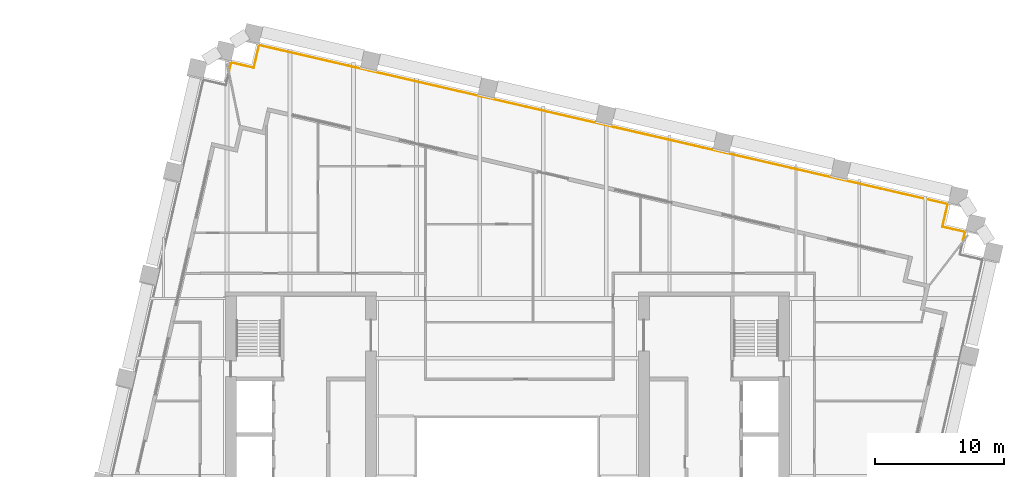
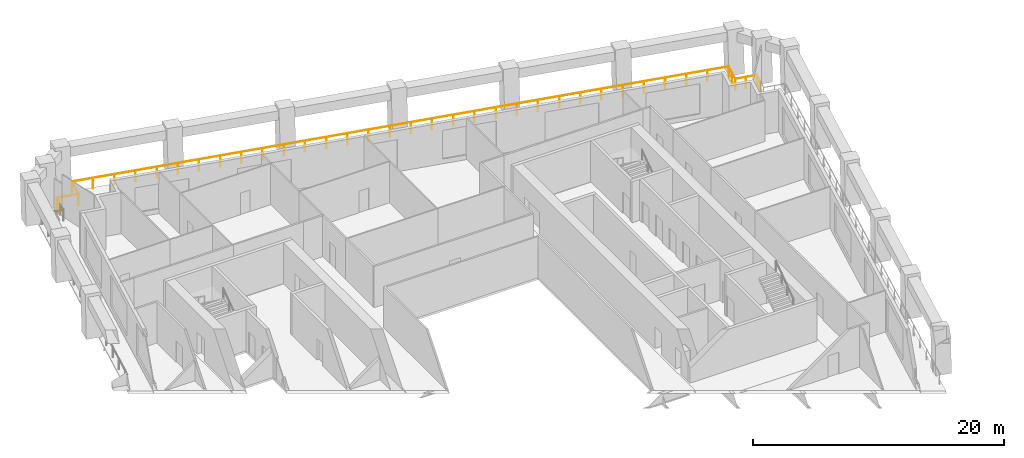
# One storey, part 12 of 12: 1 railing.
"""IFC4 building model written with IfcOpenShell, lengths in metres."""

from ifc_helpers import new_model, si_unit, direction, frame, origin, origin_2d, place, context, subcontext, project, spatial, circle, extrude, material, type_object, element, save


model = new_model("IFC4")

# Units and contexts
model_context = context("Model", 3, precision=1e-05, world=origin(), true_north=direction((0.0, 1.0)))
body_context = subcontext(model_context, "Body", "Model", "MODEL_VIEW")
ifc_project = project(units=[si_unit("LENGTHUNIT", "METRE"), si_unit("AREAUNIT", "SQUARE_METRE"), si_unit("VOLUMEUNIT", "CUBIC_METRE"), si_unit("PLANEANGLEUNIT", "RADIAN"), si_unit("MASSUNIT", "GRAM", prefix="KILO")], contexts=[model_context])

# Site, building, storey
site_placement = place(None, origin())
site = spatial("IfcSite", under=ifc_project, at=site_placement, CompositionType="ELEMENT")
building_placement = place(site_placement, origin())
building = spatial("IfcBuilding", under=site, at=building_placement, Name="Ogive Exchange Tower", CompositionType="ELEMENT")
storey_placement = place(building_placement, frame((0.0, 0.0, 130.800048828125)))
storey = spatial("IfcBuildingStorey", under=building, at=storey_placement, Name="L28", CompositionType="ELEMENT", Elevation=130.800048828125)

# Railing
ifc_material = material(Name="Stainless steel 316", Category="steel")
railing_type = type_object("IfcRailingType", Name="Guard 1100 stainless steel and glass", PredefinedType="GUARDRAIL", material=ifc_material)
railing_placement = place(storey_placement, frame((-21.541748046875, 42.90966796875, -0.050048828125)))
element("IfcRailing", 1, at=railing_placement, inside=storey, type_object=railing_type, Name="Loggia guard 3", PredefinedType="GUARDRAIL", context=body_context, shape_type="SweptSolid", body=[
    extrude(circle(Radius=0.02392578125, at=origin_2d()), frame((0.0, 0.0, 1.076171875), z_axis=(0.225055844522, 0.974345866131, 0.0), x_axis=(-0.974345866131, 0.225055844522, 0.0)), (0.0, 0.0, 1.0), 0.6357421875),
    extrude(circle(Radius=0.02392578125, at=origin_2d()), frame((0.14306640625, 0.619384765625, 1.076171875), z_axis=(0.974379763188, -0.224909041816, 0.0), x_axis=(0.224909041816, 0.974379763188, 0.0)), (0.0, 0.0, 1.0), 1.7998046875),
    extrude(circle(Radius=0.02392578125, at=origin_2d()), frame((1.896728515625, 0.214599609375, 1.076171875), z_axis=(0.22503782496, 0.974350028141, 0.0), x_axis=(-0.974350028141, 0.22503782496, 0.0)), (0.0, 0.0, 1.0), 1.7998046875),
    extrude(circle(Radius=0.02392578125, at=origin_2d()), frame((2.3017578125, 1.96826171875, 1.076171875), z_axis=(0.974371054007, -0.224946769511, 0.0), x_axis=(0.224946769511, 0.974371054007, 0.0)), (0.0, 0.0, 1.0), 54.76025390625),
    extrude(circle(Radius=0.02392578125, at=origin_2d()), frame((55.658447265625, -10.349853515625, 1.076171875), z_axis=(-0.225008086135, -0.974356896201, 0.0), x_axis=(0.974356896201, -0.225008086135, 0.0)), (0.0, 0.0, 1.0), 1.800048828125),
    extrude(circle(Radius=0.02392578125, at=origin_2d()), frame((55.25341796875, -12.103759765625, 1.076171875), z_axis=(0.974356896201, -0.225008086135, 0.0), x_axis=(0.225008086135, 0.974356896201, 0.0)), (0.0, 0.0, 1.0), 1.800048828125),
    extrude(circle(Radius=0.02392578125, at=origin_2d()), frame((57.00732421875, -12.5087890625, 1.076171875), z_axis=(-0.225055844522, -0.974345866131, 0.0), x_axis=(0.974345866131, -0.225055844522, 0.0)), (0.0, 0.0, 1.0), 0.6357421875),
    extrude(circle(Radius=0.02099609375, at=origin_2d()), origin(), (0.0, 0.0, 1.0), 1.052001953125),
    extrude(circle(Radius=0.02099609375, at=origin_2d()), frame((0.14306640625, 0.619384765625, 0.0)), (0.0, 0.0, 1.0), 1.052001953125),
    extrude(circle(Radius=0.02099609375, at=origin_2d()), frame((1.896728515625, 0.214599609375, 0.0)), (0.0, 0.0, 1.0), 1.052001953125),
    extrude(circle(Radius=0.02099609375, at=origin_2d()), frame((2.3017578125, 1.96826171875, 0.0)), (0.0, 0.0, 1.0), 1.052001953125),
    extrude(circle(Radius=0.02099609375, at=origin_2d()), frame((4.02294921875, 1.57080078125, 0.0)), (0.0, 0.0, 1.0), 1.052001953125),
    extrude(circle(Radius=0.02099609375, at=origin_2d()), frame((5.744140625, 1.173583984375, 0.0)), (0.0, 0.0, 1.0), 1.052001953125),
    extrude(circle(Radius=0.02099609375, at=origin_2d()), frame((7.46533203125, 0.776123046875, 0.0)), (0.0, 0.0, 1.0), 1.052001953125),
    extrude(circle(Radius=0.02099609375, at=origin_2d()), frame((9.1865234375, 0.37890625, 0.0)), (0.0, 0.0, 1.0), 1.052001953125),
    extrude(circle(Radius=0.02099609375, at=origin_2d()), frame((10.90771484375, -0.0185546875, 0.0)), (0.0, 0.0, 1.0), 1.052001953125),
    extrude(circle(Radius=0.02099609375, at=origin_2d()), frame((12.62890625, -0.415771484375, 0.0)), (0.0, 0.0, 1.0), 1.052001953125),
    extrude(circle(Radius=0.02099609375, at=origin_2d()), frame((14.35009765625, -0.813232421875, 0.0)), (0.0, 0.0, 1.0), 1.052001953125),
    extrude(circle(Radius=0.02099609375, at=origin_2d()), frame((16.0712890625, -1.210693359375, 0.0)), (0.0, 0.0, 1.0), 1.052001953125),
    extrude(circle(Radius=0.02099609375, at=origin_2d()), frame((17.79248046875, -1.60791015625, 0.0)), (0.0, 0.0, 1.0), 1.052001953125),
    extrude(circle(Radius=0.02099609375, at=origin_2d()), frame((19.513671875, -2.00537109375, 0.0)), (0.0, 0.0, 1.0), 1.052001953125),
    extrude(circle(Radius=0.02099609375, at=origin_2d()), frame((21.23486328125, -2.402587890625, 0.0)), (0.0, 0.0, 1.0), 1.052001953125),
    extrude(circle(Radius=0.02099609375, at=origin_2d()), frame((22.9560546875, -2.800048828125, 0.0)), (0.0, 0.0, 1.0), 1.052001953125),
    extrude(circle(Radius=0.02099609375, at=origin_2d()), frame((24.67724609375, -3.197509765625, 0.0)), (0.0, 0.0, 1.0), 1.052001953125),
    extrude(circle(Radius=0.02099609375, at=origin_2d()), frame((26.3984375, -3.5947265625, 0.0)), (0.0, 0.0, 1.0), 1.052001953125),
    extrude(circle(Radius=0.02099609375, at=origin_2d()), frame((28.11962890625, -3.9921875, 0.0)), (0.0, 0.0, 1.0), 1.052001953125),
    extrude(circle(Radius=0.02099609375, at=origin_2d()), frame((29.840576171875, -4.389404296875, 0.0)), (0.0, 0.0, 1.0), 1.052001953125),
    extrude(circle(Radius=0.02099609375, at=origin_2d()), frame((31.561767578125, -4.786865234375, 0.0)), (0.0, 0.0, 1.0), 1.052001953125),
    extrude(circle(Radius=0.02099609375, at=origin_2d()), frame((33.282958984375, -5.18408203125, 0.0)), (0.0, 0.0, 1.0), 1.052001953125),
    extrude(circle(Radius=0.02099609375, at=origin_2d()), frame((35.004150390625, -5.58154296875, 0.0)), (0.0, 0.0, 1.0), 1.052001953125),
    extrude(circle(Radius=0.02099609375, at=origin_2d()), frame((36.725341796875, -5.97900390625, 0.0)), (0.0, 0.0, 1.0), 1.052001953125),
    extrude(circle(Radius=0.02099609375, at=origin_2d()), frame((38.446533203125, -6.376220703125, 0.0)), (0.0, 0.0, 1.0), 1.052001953125),
    extrude(circle(Radius=0.02099609375, at=origin_2d()), frame((40.167724609375, -6.773681640625, 0.0)), (0.0, 0.0, 1.0), 1.052001953125),
    extrude(circle(Radius=0.02099609375, at=origin_2d()), frame((41.888916015625, -7.1708984375, 0.0)), (0.0, 0.0, 1.0), 1.052001953125),
    extrude(circle(Radius=0.02099609375, at=origin_2d()), frame((43.610107421875, -7.568359375, 0.0)), (0.0, 0.0, 1.0), 1.052001953125),
    extrude(circle(Radius=0.02099609375, at=origin_2d()), frame((45.331298828125, -7.9658203125, 0.0)), (0.0, 0.0, 1.0), 1.052001953125),
    extrude(circle(Radius=0.02099609375, at=origin_2d()), frame((47.052490234375, -8.363037109375, 0.0)), (0.0, 0.0, 1.0), 1.052001953125),
    extrude(circle(Radius=0.02099609375, at=origin_2d()), frame((48.773681640625, -8.760498046875, 0.0)), (0.0, 0.0, 1.0), 1.052001953125),
    extrude(circle(Radius=0.02099609375, at=origin_2d()), frame((50.494873046875, -9.15771484375, 0.0)), (0.0, 0.0, 1.0), 1.052001953125),
    extrude(circle(Radius=0.02099609375, at=origin_2d()), frame((52.216064453125, -9.55517578125, 0.0)), (0.0, 0.0, 1.0), 1.052001953125),
    extrude(circle(Radius=0.02099609375, at=origin_2d()), frame((53.937255859375, -9.952392578125, 0.0)), (0.0, 0.0, 1.0), 1.052001953125),
    extrude(circle(Radius=0.02099609375, at=origin_2d()), frame((55.658447265625, -10.349853515625, 0.0)), (0.0, 0.0, 1.0), 1.052001953125),
    extrude(circle(Radius=0.02099609375, at=origin_2d()), frame((55.4560546875, -11.226806640625, 0.0)), (0.0, 0.0, 1.0), 1.052001953125),
    extrude(circle(Radius=0.02099609375, at=origin_2d()), frame((55.25341796875, -12.103759765625, 0.0)), (0.0, 0.0, 1.0), 1.052001953125),
    extrude(circle(Radius=0.02099609375, at=origin_2d()), frame((56.13037109375, -12.30615234375, 0.0)), (0.0, 0.0, 1.0), 1.052001953125),
    extrude(circle(Radius=0.02099609375, at=origin_2d()), frame((57.00732421875, -12.5087890625, 0.0)), (0.0, 0.0, 1.0), 1.052001953125),
    extrude(circle(Radius=0.02099609375, at=origin_2d()), frame((56.8642578125, -13.128173828125, 0.0)), (0.0, 0.0, 1.0), 1.052001953125),
])

save(model, "model.ifc")
